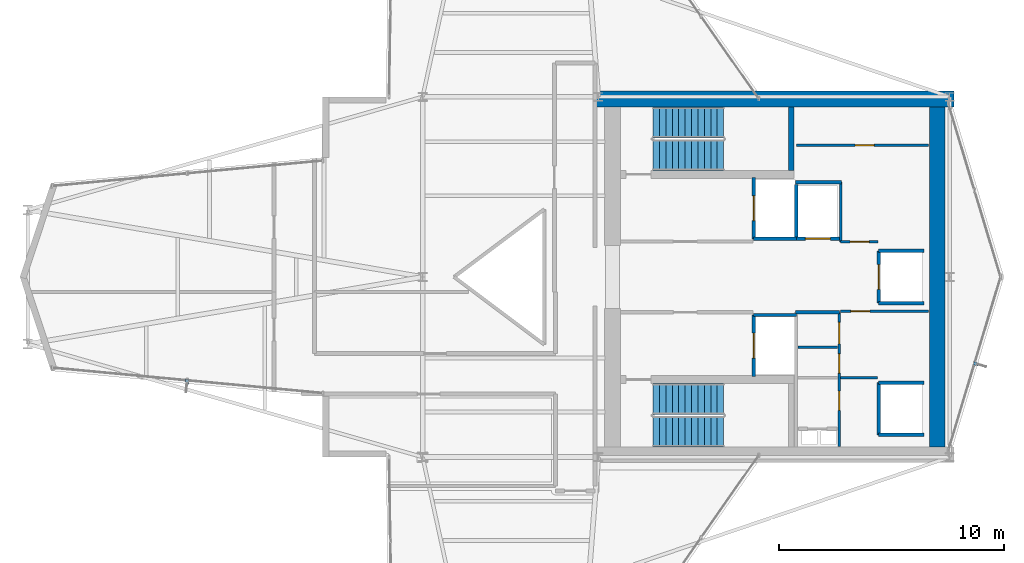
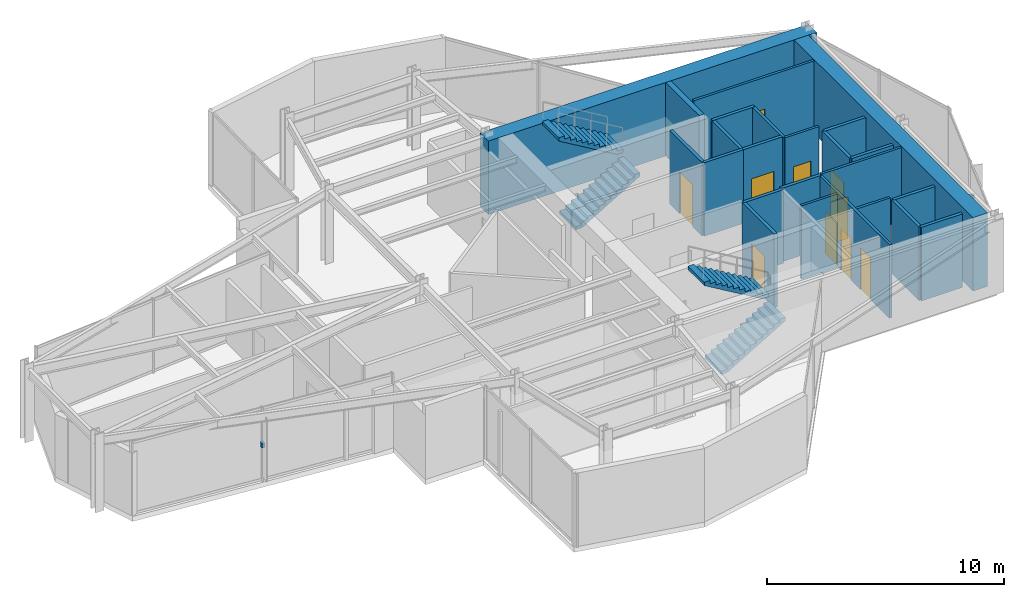
# One storey, part 22 of 24: 24 walls, 10 doors, 4 stair flights, 2 discrete accessories, 10 openings, 2 elements without a shape of their own.
"""IFC4 building model written with IfcOpenShell, lengths in metres."""

import ifcopenshell
import ifcopenshell.guid

model = None  # the IFC model being written
_history = None  # IfcOwnerHistory: only IFC2X3 demands one
_inside = {}  # id of a spatial element -> (the spatial element, [elements in it])
_under = {}  # id of a project, library or spatial element -> (it, [spatial elements below it])
_declared = {}  # id of a project -> (the project, [libraries it declares])
_typed = {}  # id of a type object -> (the type object, [elements of that type])
_made_of = {}  # id of a material, layer set ... -> (it, [elements and type objects made of it])


def new_model(schema):
    """Start an empty IFC model of exactly this schema.

    Asked for "IFC4X3", IfcOpenShell would pick the latest addendum, in which some entities
    have other attributes; the version numbers below select the first issue.
    IFC2X3 requires an IfcOwnerHistory on every rooted entity: one is made here for all.
    """
    global model, _history
    if schema == "IFC4X3":
        model = ifcopenshell.file(schema_version=(4, 3, 0, 0))
    else:
        model = ifcopenshell.file(schema=schema)
    _inside.clear()
    _under.clear()
    _declared.clear()
    _typed.clear()
    _made_of.clear()
    _history = None
    if model.schema == "IFC2X3":
        org = make("IfcOrganization", Name="unknown")
        user = make(
            "IfcPersonAndOrganization",
            ThePerson=make("IfcPerson", FamilyName="unknown"),
            TheOrganization=org,
        )
        app = make(
            "IfcApplication",
            ApplicationDeveloper=org,
            Version="unknown",
            ApplicationFullName="unknown",
            ApplicationIdentifier="unknown",
        )
        _history = make(
            "IfcOwnerHistory",
            OwningUser=user,
            OwningApplication=app,
            ChangeAction="ADDED",
            CreationDate=0,
        )
    return model


def make(cls, **values):
    """One entity of the class cls with the attributes given. An attribute that is None is left unset."""
    return model.create_entity(
        cls, **{name: value for name, value in values.items() if value is not None}
    )


def rooted(cls, **values):
    """An entity with a GlobalId (a new one), such as an element, a storey or a relation."""
    return make(cls, GlobalId=ifcopenshell.guid.new(), OwnerHistory=_history, **values)


def si_unit(unit_type, name, prefix=None):
    """IfcSIUnit, for example si_unit("LENGTHUNIT", "METRE", prefix="MILLI")."""
    return make("IfcSIUnit", UnitType=unit_type, Prefix=prefix, Name=name)


def assignment(units):
    """IfcUnitAssignment: the units of a project."""
    return None if units is None else make("IfcUnitAssignment", Units=units)


def point(xyz):
    """IfcCartesianPoint."""
    return None if xyz is None else make("IfcCartesianPoint", Coordinates=xyz)


def direction(xyz):
    """IfcDirection."""
    return None if xyz is None else make("IfcDirection", DirectionRatios=xyz)


def frame(location, z_axis=None, x_axis=None):
    """IfcAxis2Placement3D, a coordinate frame: its origin and axes. An axis left out is left unset."""
    return make(
        "IfcAxis2Placement3D",
        Location=point(location),
        Axis=direction(z_axis),
        RefDirection=direction(x_axis),
    )


def frame_2d(location, x_axis=None):
    """IfcAxis2Placement2D, a coordinate frame in the plane: its origin and x axis."""
    return make(
        "IfcAxis2Placement2D", Location=point(location), RefDirection=direction(x_axis)
    )


def origin():
    """The frame at (0, 0, 0) with its axes left unset."""
    return frame((0.0, 0.0, 0.0))


def origin_2d():
    """The frame at (0, 0) in the plane with its x axis left unset."""
    return frame_2d((0.0, 0.0))


def place(relative_to, where):
    """IfcLocalPlacement: puts the frame where relative to a parent placement (None: the world)."""
    return make(
        "IfcLocalPlacement", PlacementRelTo=relative_to, RelativePlacement=where
    )


def context(
    kind, dimensions, precision=None, world=None, true_north=None, identifier=None
):
    """IfcGeometricRepresentationContext, for example the 3D "Model" context."""
    return make(
        "IfcGeometricRepresentationContext",
        ContextIdentifier=identifier,
        ContextType=kind,
        CoordinateSpaceDimension=dimensions,
        Precision=precision,
        WorldCoordinateSystem=world,
        TrueNorth=true_north,
    )


def subcontext(parent, identifier, kind, view, scale=None):
    """IfcGeometricRepresentationSubContext, for example "Body" below "Model"."""
    return make(
        "IfcGeometricRepresentationSubContext",
        ContextIdentifier=identifier,
        ContextType=kind,
        ParentContext=parent,
        TargetScale=scale,
        TargetView=view,
    )


def project(units=None, contexts=None):
    """IfcProject with its units and contexts."""
    return rooted(
        "IfcProject",
        Name="project",
        RepresentationContexts=contexts,
        UnitsInContext=assignment(units),
    )


def spatial(cls, under=None, at=None, **own):
    """A site, building, storey or space (cls), placed at a placement, below another one or the project."""
    s = rooted(cls, ObjectPlacement=at, **own)
    if under is not None:
        _under.setdefault(under.id(), (under, []))[1].append(s)
    return s


def polyline(points):
    """IfcPolyline through the points."""
    return make("IfcPolyline", Points=[point(p) for p in points])


def profile(cls, at=None, kind="AREA", **sizes):
    """A parametric profile (cls). Its sizes go by their IFC names, for example OverallWidth=200.0."""
    return make(cls, ProfileType=kind, Position=at, **sizes)


def rectangle(**sizes):
    """IfcRectangleProfileDef."""
    return profile("IfcRectangleProfileDef", **sizes)


def outline(outer, holes=None, kind="AREA"):
    """IfcArbitraryClosedProfileDef: a profile drawn as a closed curve; with holes, ...WithVoids."""
    if holes is None:
        return make("IfcArbitraryClosedProfileDef", ProfileType=kind, OuterCurve=outer)
    return make(
        "IfcArbitraryProfileDefWithVoids",
        ProfileType=kind,
        OuterCurve=outer,
        InnerCurves=holes,
    )


def extrude(swept, where, along, depth):
    """IfcExtrudedAreaSolid: the profile swept, set in the frame where, extruded along a direction by depth."""
    return make(
        "IfcExtrudedAreaSolid",
        SweptArea=swept,
        Position=where,
        ExtrudedDirection=direction(along),
        Depth=depth,
    )


def shape(context_of_items, identifier, shape_type, items):
    """IfcShapeRepresentation: the items that make up one representation, for example the "Body"."""
    return make(
        "IfcShapeRepresentation",
        ContextOfItems=context_of_items,
        RepresentationIdentifier=identifier,
        RepresentationType=shape_type,
        Items=items,
    )


def material(Name=None, Category=None):
    """IfcMaterial."""
    return make("IfcMaterial", Name=Name, Category=Category)


def layer(
    of_material, thickness, ventilated=None, Name=None, Category=None, Priority=None
):
    """IfcMaterialLayer: one layer of a wall or slab, of a material (None: an air gap)."""
    return make(
        "IfcMaterialLayer",
        Material=of_material,
        LayerThickness=thickness,
        IsVentilated=ventilated,
        Name=Name,
        Category=Category,
        Priority=Priority,
    )


def layer_set(layers, Name=None):
    """IfcMaterialLayerSet."""
    return make("IfcMaterialLayerSet", MaterialLayers=layers, LayerSetName=Name)


def made_of(thing, what):
    """Note that an element or type object is made of a material, layer set ...; save() writes the relation."""
    if what is not None:
        _made_of.setdefault(what.id(), (what, []))[1].append(thing)
    return thing


def type_object(cls, material=None, **own):
    """A type object (cls), such as IfcWallType, which elements share."""
    return made_of(rooted(cls, **own), material)


def element(
    cls,
    number,
    at=None,
    inside=None,
    cuts=None,
    type_object=None,
    material=None,
    context=None,
    identifier="Body",
    shape_type=None,
    held_by="IfcProductDefinitionShape",
    body=None,
    shapes=None,
    **own,
):
    """One element of the class cls, such as IfcWall. Its Tag is "e" and its number.

    at: its placement. inside: the storey or other place that contains it. cuts: it is an
    opening in that element (IfcRelVoidsElement). A single representation is given by context,
    identifier, shape_type and body (its items); several are given by shapes. held_by: the class
    of the entity that holds the representations. save() writes the other relations.
    """
    e = rooted(cls, Tag="e%d" % number, ObjectPlacement=at, **own)
    if body is not None:
        shapes = [shape(context, identifier, shape_type, body)]
    if shapes is not None:
        e.Representation = make(held_by, Representations=shapes)
    if inside is not None:
        _inside.setdefault(inside.id(), (inside, []))[1].append(e)
    if cuts is not None:
        rooted(
            "IfcRelVoidsElement", RelatingBuildingElement=cuts, RelatedOpeningElement=e
        )
    if type_object is not None:
        _typed.setdefault(type_object.id(), (type_object, []))[1].append(e)
    return made_of(e, material)


def fill(opening, filler):
    """IfcRelFillsElement: the door or window that sits in an opening."""
    return rooted(
        "IfcRelFillsElement",
        RelatingOpeningElement=opening,
        RelatedBuildingElement=filler,
    )


def aggregate(whole, parts):
    """IfcRelAggregates: a whole, such as a stair, and the parts it consists of."""
    return rooted("IfcRelAggregates", RelatingObject=whole, RelatedObjects=parts)


def save(model, path):
    """Write the relations noted so far, then the file.

    IfcRelAggregates (storeys below a building ...), IfcRelContainedInSpatialStructure (elements
    in a storey), IfcRelDefinesByType, IfcRelAssociatesMaterial and IfcRelDeclares: one each for
    every whole, place, type object, material and project.
    """
    for whole, parts in _under.values():
        aggregate(whole, parts)
    for where, things in _inside.values():
        rooted(
            "IfcRelContainedInSpatialStructure",
            RelatedElements=things,
            RelatingStructure=where,
        )
    for kind, things in _typed.values():
        rooted("IfcRelDefinesByType", RelatedObjects=things, RelatingType=kind)
    for what, things in _made_of.values():
        rooted("IfcRelAssociatesMaterial", RelatedObjects=things, RelatingMaterial=what)
    for by, libraries in _declared.values():
        rooted("IfcRelDeclares", RelatingContext=by, RelatedDefinitions=libraries)
    model.write(path)


model = new_model("IFC4")

# Units and contexts
model_context = context("Model", 3, precision=1e-05, world=origin(), true_north=direction((0.0, 1.0)))
body_context = subcontext(model_context, "Body", "Model", "MODEL_VIEW")
ifc_project = project(units=[si_unit("LENGTHUNIT", "METRE"), si_unit("AREAUNIT", "SQUARE_METRE"), si_unit("VOLUMEUNIT", "CUBIC_METRE"), si_unit("PLANEANGLEUNIT", "RADIAN"), si_unit("MASSUNIT", "GRAM", prefix="KILO")], contexts=[model_context])

# Site, building, storey
site_placement = place(None, origin())
site = spatial("IfcSite", under=ifc_project, at=site_placement, CompositionType="ELEMENT")
building_placement = place(site_placement, origin())
building = spatial("IfcBuilding", under=site, at=building_placement, Name="Veymaron Broadcast Tower", CompositionType="ELEMENT")
storey_placement = place(building_placement, frame((0.0, 0.0, 220.199951171875)))
storey = spatial("IfcBuildingStorey", under=building, at=storey_placement, Name="L51", CompositionType="ELEMENT", Elevation=220.199951171875)

# Wall, opening, door
ifc_material_1 = material(Name="Gypsum fireboard and steel stud framing", Category="steel")
ifc_layer_1 = layer(ifc_material_1, 0.14990234375)
ifc_layer_set_1 = layer_set([ifc_layer_1], Name="Gypsum fireboard and steel stud framing")
wall_type_1 = type_object("IfcWallType", Name="WALL-FIRE-150", PredefinedType="PARTITIONING", material=ifc_layer_set_1)
wall_1_placement = place(storey_placement, frame((45.89501953125, 25.68994140625, 0.0), z_axis=(0.0, 0.0, 1.0), x_axis=(0.0, 1.0, 0.0)))
wall_1 = element("IfcWall", 1, at=wall_1_placement, inside=storey, type_object=wall_type_1, Name="L51 partition IW-L51-SHW-FFL-1", PredefinedType="PARTITIONING", context=body_context, shape_type="SweptSolid", body=[
    extrude(rectangle(XDim=2.719970703125, YDim=0.14990234375, at=frame_2d((1.35986328125, 0.0))), origin(), (0.0, 0.0, 1.0), 3.7900390625),
])
opening_1_placement = place(wall_1_placement, frame((0.81005859375, 0.0, 0.0)))
opening_1 = element("IfcOpeningElement", 2, at=opening_1_placement, cuts=wall_1, Name="Opening LD", PredefinedType="OPENING", context=body_context, shape_type="SweptSolid", body=[
    extrude(rectangle(XDim=1.10009765625, YDim=2.14990234375, at=frame_2d((0.550048828125, 1.074951171875))), frame((0.0, 0.0849609375, 0.0), z_axis=(0.0, -1.0, 0.0), x_axis=(1.0, 0.0, 0.0)), (0.0, 0.0, 1.0), 0.169921875),
])
ifc_material_2 = material(Name="Brushed stainless steel AISI 304", Category="steel")
door_type_1 = type_object("IfcDoorType", Name="DOOR-LIFT-1100", OperationType="DOUBLE_DOOR_SLIDING", PredefinedType="DOOR", material=ifc_material_2)
door_1_placement = place(opening_1_placement, frame((1.10009765625, 0.0, 0.0), z_axis=(0.0, 0.0, 1.0), x_axis=(-1.0, 0.0, 0.0)))
door_1 = element("IfcDoor", 3, at=door_1_placement, inside=storey, type_object=door_type_1, Name="L51 door LD-L51-FFL-1", OperationType="DOUBLE_DOOR_SLIDING", OverallHeight=2.14990234375, OverallWidth=1.10009765625, PredefinedType="DOOR", context=body_context, shape_type="SweptSolid", body=[
    extrude(rectangle(XDim=1.10009765625, YDim=2.14990234375, at=frame_2d((0.550048828125, 1.074951171875))), frame((0.0, 0.02490234375, 0.0), z_axis=(0.0, -1.0, 0.0), x_axis=(1.0, 0.0, 0.0)), (0.0, 0.0, 1.0), 0.050048828125),
])
fill(opening_1, door_1)

# Wall
wall_2_placement = place(storey_placement, frame((45.89501953125, 25.68994140625, 0.0), z_axis=(0.0, 0.0, 1.0), x_axis=(1.0, 0.0, 0.0)))
element("IfcWall", 4, at=wall_2_placement, inside=storey, type_object=wall_type_1, Name="L51 partition IW-L51-SHS-FFL-1", PredefinedType="PARTITIONING", context=body_context, shape_type="SweptSolid", body=[
    extrude(rectangle(XDim=1.9150390625, YDim=0.14990234375, at=frame_2d((0.95751953125, 0.0))), origin(), (0.0, 0.0, 1.0), 3.7900390625),
])

# Wall, opening, door
wall_3_placement = place(storey_placement, frame((45.89501953125, 19.590087890625, 0.0), z_axis=(0.0, 0.0, 1.0), x_axis=(0.0, 1.0, 0.0)))
wall_3 = element("IfcWall", 5, at=wall_3_placement, inside=storey, type_object=wall_type_1, Name="L51 partition IW-L51-SHW-FFL-2", PredefinedType="PARTITIONING", context=body_context, shape_type="SweptSolid", body=[
    extrude(rectangle(XDim=2.719970703125, YDim=0.14990234375, at=frame_2d((1.35986328125, 0.0))), origin(), (0.0, 0.0, 1.0), 3.7900390625),
])
opening_2_placement = place(wall_3_placement, frame((0.81005859375, 0.0, 0.0)))
opening_2 = element("IfcOpeningElement", 6, at=opening_2_placement, cuts=wall_3, Name="Opening LD", PredefinedType="OPENING", context=body_context, shape_type="SweptSolid", body=[
    extrude(rectangle(XDim=1.10009765625, YDim=2.14990234375, at=frame_2d((0.550048828125, 1.074951171875))), frame((0.0, 0.0849609375, 0.0), z_axis=(0.0, -1.0, 0.0), x_axis=(1.0, 0.0, 0.0)), (0.0, 0.0, 1.0), 0.169921875),
])
door_2_placement = place(opening_2_placement, frame((1.10009765625, 0.0, 0.0), z_axis=(0.0, 0.0, 1.0), x_axis=(-1.0, 0.0, 0.0)))
door_2 = element("IfcDoor", 7, at=door_2_placement, inside=storey, type_object=door_type_1, Name="L51 door LD-L51-FFL-2", OperationType="DOUBLE_DOOR_SLIDING", OverallHeight=2.14990234375, OverallWidth=1.10009765625, PredefinedType="DOOR", context=body_context, shape_type="SweptSolid", body=[
    extrude(rectangle(XDim=1.10009765625, YDim=2.14990234375, at=frame_2d((0.550048828125, 1.074951171875))), frame((0.0, 0.02490234375, 0.0), z_axis=(0.0, -1.0, 0.0), x_axis=(1.0, 0.0, 0.0)), (0.0, 0.0, 1.0), 0.050048828125),
])
fill(opening_2, door_2)

# Wall
wall_4_placement = place(storey_placement, frame((45.89501953125, 22.31005859375, 0.0), z_axis=(0.0, 0.0, 1.0), x_axis=(1.0, 0.0, 0.0)))
element("IfcWall", 8, at=wall_4_placement, inside=storey, type_object=wall_type_1, Name="L51 partition IW-L51-SHN-FFL-2", PredefinedType="PARTITIONING", context=body_context, shape_type="SweptSolid", body=[
    extrude(rectangle(XDim=1.9150390625, YDim=0.14990234375, at=frame_2d((0.95751953125, 0.0))), origin(), (0.0, 0.0, 1.0), 3.7900390625),
])

# Wall, opening, door
wall_5_placement = place(storey_placement, frame((47.7900390625, 25.695068359375, 0.0), z_axis=(0.0, 0.0, 1.0), x_axis=(1.0, 0.0, 0.0)))
wall_5 = element("IfcWall", 9, at=wall_5_placement, inside=storey, type_object=wall_type_1, Name="L51 partition IW-L51-SHS-SL-1", PredefinedType="PARTITIONING", context=body_context, shape_type="SweptSolid", body=[
    extrude(rectangle(XDim=1.919921875, YDim=0.14990234375, at=frame_2d((0.9599609375, 0.0))), origin(), (0.0, 0.0, 1.0), 3.7900390625),
])
opening_3_placement = place(wall_5_placement, frame((0.409912109375, 0.0, 0.0)))
opening_3 = element("IfcOpeningElement", 10, at=opening_3_placement, cuts=wall_5, Name="Opening LD", PredefinedType="OPENING", context=body_context, shape_type="SweptSolid", body=[
    extrude(rectangle(XDim=1.10009765625, YDim=2.14990234375, at=frame_2d((0.550048828125, 1.074951171875))), frame((0.0, 0.0849609375, 0.0), z_axis=(0.0, -1.0, 0.0), x_axis=(1.0, 0.0, 0.0)), (0.0, 0.0, 1.0), 0.169921875),
])
door_3_placement = place(opening_3_placement, frame((1.10009765625, 0.0, 0.0), z_axis=(0.0, 0.0, 1.0), x_axis=(-1.0, 0.0, 0.0)))
door_3 = element("IfcDoor", 11, at=door_3_placement, inside=storey, type_object=door_type_1, Name="L51 door LD-L51-SL-1", OperationType="DOUBLE_DOOR_SLIDING", OverallHeight=2.14990234375, OverallWidth=1.10009765625, PredefinedType="DOOR", context=body_context, shape_type="SweptSolid", body=[
    extrude(rectangle(XDim=1.10009765625, YDim=2.14990234375, at=frame_2d((0.550048828125, 1.074951171875))), frame((0.0, 0.02490234375, 0.0), z_axis=(0.0, -1.0, 0.0), x_axis=(1.0, 0.0, 0.0)), (0.0, 0.0, 1.0), 0.050048828125),
])
fill(opening_3, door_3)

# Wall
wall_6_placement = place(storey_placement, frame((47.7900390625, 25.695068359375, 0.0), z_axis=(0.0, 0.0, 1.0), x_axis=(0.0, 1.0, 0.0)))
element("IfcWall", 12, at=wall_6_placement, inside=storey, type_object=wall_type_1, Name="L51 partition IW-L51-SHW-SL-1", PredefinedType="PARTITIONING", context=body_context, shape_type="SweptSolid", body=[
    extrude(rectangle(XDim=2.4150390625, YDim=0.14990234375, at=frame_2d((1.20751953125, 0.0))), origin(), (0.0, 0.0, 1.0), 3.7900390625),
])

# Wall, opening, door
wall_7_placement = place(storey_placement, frame((51.445068359375, 22.840087890625, 0.0), z_axis=(0.0, 0.0, 1.0), x_axis=(0.0, 1.0, 0.0)))
wall_7 = element("IfcWall", 13, at=wall_7_placement, inside=storey, type_object=wall_type_1, Name="L51 partition IW-L51-SHW-PM3", PredefinedType="PARTITIONING", context=body_context, shape_type="SweptSolid", body=[
    extrude(rectangle(XDim=2.31982421875, YDim=0.14990234375, at=frame_2d((1.159912109375, 0.0))), origin(), (0.0, 0.0, 1.0), 3.7900390625),
])
opening_4_placement = place(wall_7_placement, frame((0.610107421875, 0.0, 0.0)))
opening_4 = element("IfcOpeningElement", 14, at=opening_4_placement, cuts=wall_7, Name="Opening LD", PredefinedType="OPENING", context=body_context, shape_type="SweptSolid", body=[
    extrude(rectangle(XDim=1.10009765625, YDim=2.14990234375, at=frame_2d((0.550048828125, 1.074951171875))), frame((0.0, 0.0849609375, 0.0), z_axis=(0.0, -1.0, 0.0), x_axis=(1.0, 0.0, 0.0)), (0.0, 0.0, 1.0), 0.169921875),
])
door_4_placement = place(opening_4_placement, frame((1.10009765625, 0.0, 0.0), z_axis=(0.0, 0.0, 1.0), x_axis=(-1.0, 0.0, 0.0)))
door_4 = element("IfcDoor", 15, at=door_4_placement, inside=storey, type_object=door_type_1, Name="L51 door LD-L51-PM3", OperationType="DOUBLE_DOOR_SLIDING", OverallHeight=2.14990234375, OverallWidth=1.10009765625, PredefinedType="DOOR", context=body_context, shape_type="SweptSolid", body=[
    extrude(rectangle(XDim=1.10009765625, YDim=2.14990234375, at=frame_2d((0.550048828125, 1.074951171875))), frame((0.0, 0.02490234375, 0.0), z_axis=(0.0, -1.0, 0.0), x_axis=(1.0, 0.0, 0.0)), (0.0, 0.0, 1.0), 0.050048828125),
])
fill(opening_4, door_4)

# Walls
for number, where, z_axis, x_axis, name in (
    (16, (51.445068359375, 22.840087890625, 0.0), (0.0, 0.0, 1.0), (1.0, 0.0, 0.0), "L51 partition IW-L51-SHS-PM3"),
    (17, (51.445068359375, 25.159912109375, 0.0), (0.0, 0.0, 1.0), (1.0, 0.0, 0.0), "L51 partition IW-L51-SHN-PM3"),
):
    element("IfcWall", number, at=place(storey_placement, frame(where, z_axis=z_axis, x_axis=x_axis)), inside=storey, type_object=wall_type_1, Name=name, PredefinedType="PARTITIONING", context=body_context, shape_type="SweptSolid", body=[
        extrude(rectangle(XDim=2.014892578125, YDim=0.14990234375, at=frame_2d((1.00732421875, 0.0))), origin(), (0.0, 0.0, 1.0), 3.7900390625),
    ])
wall_8_placement = place(storey_placement, frame((51.445068359375, 16.989990234375, 0.0), z_axis=(0.0, 0.0, 1.0), x_axis=(0.0, 1.0, 0.0)))
element("IfcWall", 18, at=wall_8_placement, inside=storey, type_object=wall_type_1, Name="L51 partition IW-L51-SHW-PH1", PredefinedType="PARTITIONING", context=body_context, shape_type="SweptSolid", body=[
    extrude(rectangle(XDim=2.320068359375, YDim=0.14990234375, at=frame_2d((1.16015625, 0.0))), origin(), (0.0, 0.0, 1.0), 3.7900390625),
])
for number, where, z_axis, x_axis, name in (
    (19, (51.445068359375, 16.989990234375, 0.0), (0.0, 0.0, 1.0), (1.0, 0.0, 0.0), "L51 partition IW-L51-SHS-PH1"),
    (20, (51.445068359375, 19.31005859375, 0.0), (0.0, 0.0, 1.0), (1.0, 0.0, 0.0), "L51 partition IW-L51-SHN-PH1"),
):
    element("IfcWall", number, at=place(storey_placement, frame(where, z_axis=z_axis, x_axis=x_axis)), inside=storey, type_object=wall_type_1, Name=name, PredefinedType="PARTITIONING", context=body_context, shape_type="SweptSolid", body=[
        extrude(rectangle(XDim=2.014892578125, YDim=0.14990234375, at=frame_2d((1.00732421875, 0.0))), origin(), (0.0, 0.0, 1.0), 3.7900390625),
    ])
wall_9_placement = place(storey_placement, frame((47.760009765625, 22.425048828125, 0.0), z_axis=(0.0, 0.0, 1.0), x_axis=(1.0, 0.0, 0.0)))
element("IfcWall", 21, at=wall_9_placement, inside=storey, type_object=wall_type_1, Name="L51 partition IW-L51-SM-N", PredefinedType="PARTITIONING", context=body_context, shape_type="SweptSolid", body=[
    extrude(rectangle(XDim=1.9599609375, YDim=0.14990234375, at=frame_2d((0.97998046875, 0.0))), origin(), (0.0, 0.0, 1.0), 3.7900390625),
])
wall_10_placement = place(storey_placement, frame((47.760009765625, 28.199951171875, 0.0), z_axis=(0.0, 0.0, 1.0), x_axis=(1.0, 0.0, 0.0)))
element("IfcWall", 22, at=wall_10_placement, inside=storey, type_object=wall_type_1, Name="L51 partition IW-L51-F2-SW", PredefinedType="PARTITIONING", context=body_context, shape_type="SweptSolid", body=[
    extrude(rectangle(XDim=2.0400390625, YDim=0.14990234375, at=frame_2d((1.02001953125, 0.0))), origin(), (0.0, 0.0, 1.0), 3.7900390625),
])
ifc_material_3 = material(Name="Acoustic gypsum board and galvanized stud", Category="gypsum")
ifc_layer_2 = layer(ifc_material_3, 0.1201171875)
ifc_layer_set_2 = layer_set([ifc_layer_2], Name="Acoustic gypsum board and galvanized stud")
wall_type_2 = type_object("IfcWallType", Name="WALL-PART-120", PredefinedType="PARTITIONING", material=ifc_layer_set_2)
wall_11_placement = place(storey_placement, frame((47.860107421875, 20.8798828125, 0.0), z_axis=(0.0, 0.0, 1.0), x_axis=(1.0, 0.0, 0.0)))
element("IfcWall", 23, at=wall_11_placement, inside=storey, type_object=wall_type_2, Name="L51 partition IW-L51-SM-D2", PredefinedType="PARTITIONING", context=body_context, shape_type="SweptSolid", body=[
    extrude(rectangle(XDim=1.760009765625, YDim=0.1201171875, at=frame_2d((0.8798828125, 0.0))), origin(), (0.0, 0.0, 1.0), 3.7900390625),
])

# Wall, openings, doors
wall_12_placement = place(storey_placement, frame((49.699951171875, 16.47998046875, 0.0), z_axis=(0.0, 0.0, 1.0), x_axis=(0.0, 1.0, 0.0)))
wall_12 = element("IfcWall", 24, at=wall_12_placement, inside=storey, type_object=wall_type_2, Name="L51 partition IW-L51-SM-E", PredefinedType="PARTITIONING", context=body_context, shape_type="SweptSolid", body=[
    extrude(rectangle(XDim=5.945068359375, YDim=0.1201171875, at=frame_2d((2.97265625, 0.0))), origin(), (0.0, 0.0, 1.0), 3.7900390625),
])
opening_5_placement = place(wall_12_placement, frame((1.60009765625, 0.0, 0.0)))
opening_5 = element("IfcOpeningElement", 25, at=opening_5_placement, cuts=wall_12, Name="Opening ID-WC1", PredefinedType="OPENING", context=body_context, shape_type="SweptSolid", body=[
    extrude(rectangle(XDim=0.85009765625, YDim=2.14990234375, at=frame_2d((0.425048828125, 1.074951171875))), frame((0.0, 0.070068359375, 0.0), z_axis=(0.0, -1.0, 0.0), x_axis=(1.0, 0.0, 0.0)), (0.0, 0.0, 1.0), 0.14013671875),
])
opening_6_placement = place(wall_12_placement, frame((3.25, 0.0, 0.0)))
opening_6 = element("IfcOpeningElement", 26, at=opening_6_placement, cuts=wall_12, Name="Opening ID-WC1", PredefinedType="OPENING", context=body_context, shape_type="SweptSolid", body=[
    extrude(rectangle(XDim=0.85009765625, YDim=2.14990234375, at=frame_2d((0.425048828125, 1.074951171875))), frame((0.0, 0.070068359375, 0.0), z_axis=(0.0, -1.0, 0.0), x_axis=(1.0, 0.0, 0.0)), (0.0, 0.0, 1.0), 0.14013671875),
])
opening_7_placement = place(wall_12_placement, frame((4.550048828125, 0.0, 0.0)))
opening_7 = element("IfcOpeningElement", 27, at=opening_7_placement, cuts=wall_12, Name="Opening ID-RM1", PredefinedType="OPENING", context=body_context, shape_type="SweptSolid", body=[
    extrude(rectangle(XDim=0.949951171875, YDim=2.14990234375, at=frame_2d((0.47509765625, 1.074951171875))), frame((0.0, 0.070068359375, 0.0), z_axis=(0.0, -1.0, 0.0), x_axis=(1.0, 0.0, 0.0)), (0.0, 0.0, 1.0), 0.14013671875),
])
ifc_material_4 = material(Name="Moisture-resistant high-pressure laminate timber", Category="wood")
door_type_2 = type_object("IfcDoorType", Name="DOOR-INT-850", OperationType="NOTDEFINED", PredefinedType="DOOR", material=ifc_material_4)
door_5_placement = place(opening_5_placement, frame((0.85009765625, 0.0, 0.0), z_axis=(0.0, 0.0, 1.0), x_axis=(-1.0, 0.0, 0.0)))
door_5 = element("IfcDoor", 28, at=door_5_placement, inside=storey, type_object=door_type_2, Name="L51 door DR-L51-JST", OperationType="SINGLE_SWING_LEFT", OverallHeight=2.14990234375, OverallWidth=0.85009765625, PredefinedType="DOOR", context=body_context, shape_type="SweptSolid", body=[
    extrude(rectangle(XDim=0.85009765625, YDim=2.14990234375, at=frame_2d((0.425048828125, 1.074951171875))), frame((0.0, 0.02490234375, 0.0), z_axis=(0.0, -1.0, 0.0), x_axis=(1.0, 0.0, 0.0)), (0.0, 0.0, 1.0), 0.050048828125),
])
fill(opening_5, door_5)
door_6_placement = place(opening_6_placement, frame((0.85009765625, 0.0, 0.0), z_axis=(0.0, 0.0, 1.0), x_axis=(-1.0, 0.0, 0.0)))
door_6 = element("IfcDoor", 29, at=door_6_placement, inside=storey, type_object=door_type_2, Name="L51 door DR-L51-SWC", OperationType="SINGLE_SWING_RIGHT", OverallHeight=2.14990234375, OverallWidth=0.85009765625, PredefinedType="DOOR", context=body_context, shape_type="SweptSolid", body=[
    extrude(rectangle(XDim=0.85009765625, YDim=2.14990234375, at=frame_2d((0.425048828125, 1.074951171875))), frame((0.0, 0.02490234375, 0.0), z_axis=(0.0, -1.0, 0.0), x_axis=(1.0, 0.0, 0.0)), (0.0, 0.0, 1.0), 0.050048828125),
])
fill(opening_6, door_6)
ifc_material_5 = material(Name="Acoustic solid-core European oak veneer timber", Category="wood")
door_type_3 = type_object("IfcDoorType", Name="DOOR-INT-950", OperationType="NOTDEFINED", PredefinedType="DOOR", material=ifc_material_5)
door_7_placement = place(opening_7_placement, frame((0.949951171875, 0.0, 0.0), z_axis=(0.0, 0.0, 1.0), x_axis=(-1.0, 0.0, 0.0)))
door_7 = element("IfcDoor", 30, at=door_7_placement, inside=storey, type_object=door_type_3, Name="L51 door DR-L51-AWC", OperationType="SINGLE_SWING_LEFT", OverallHeight=2.14990234375, OverallWidth=0.949951171875, PredefinedType="DOOR", context=body_context, shape_type="SweptSolid", body=[
    extrude(rectangle(XDim=0.949951171875, YDim=2.14990234375, at=frame_2d((0.47509765625, 1.074951171875))), frame((0.0, 0.02490234375, 0.0), z_axis=(0.0, -1.0, 0.0), x_axis=(1.0, 0.0, 0.0)), (0.0, 0.0, 1.0), 0.050048828125),
])
fill(opening_7, door_7)

# Wall, opening, door
wall_13_placement = place(storey_placement, frame((49.760009765625, 22.47998046875, 0.0), z_axis=(0.0, 0.0, 1.0), x_axis=(1.0, 0.0, 0.0)))
wall_13 = element("IfcWall", 31, at=wall_13_placement, inside=storey, type_object=wall_type_2, Name="L51 partition IW-L51-F2S-N", PredefinedType="PARTITIONING", context=body_context, shape_type="SweptSolid", body=[
    extrude(rectangle(XDim=3.89990234375, YDim=0.1201171875, at=frame_2d((1.949951171875, 0.0))), origin(), (0.0, 0.0, 1.0), 3.7900390625),
])
opening_8_placement = place(wall_13_placement, frame((0.449951171875, 0.0, 0.0)))
opening_8 = element("IfcOpeningElement", 32, at=opening_8_placement, cuts=wall_13, Name="Opening ID-WC1", PredefinedType="OPENING", context=body_context, shape_type="SweptSolid", body=[
    extrude(rectangle(XDim=0.85009765625, YDim=2.14990234375, at=frame_2d((0.425048828125, 1.074951171875))), frame((0.0, 0.070068359375, 0.0), z_axis=(0.0, -1.0, 0.0), x_axis=(1.0, 0.0, 0.0)), (0.0, 0.0, 1.0), 0.14013671875),
])
door_8_placement = place(opening_8_placement, frame((0.85009765625, 0.0, 0.0), z_axis=(0.0, 0.0, 1.0), x_axis=(-1.0, 0.0, 0.0)))
door_8 = element("IfcDoor", 33, at=door_8_placement, inside=storey, type_object=door_type_2, Name="L51 door DR-L51-F2S", OperationType="SINGLE_SWING_LEFT", OverallHeight=2.14990234375, OverallWidth=0.85009765625, PredefinedType="DOOR", context=body_context, shape_type="SweptSolid", body=[
    extrude(rectangle(XDim=0.85009765625, YDim=2.14990234375, at=frame_2d((0.425048828125, 1.074951171875))), frame((0.0, 0.02490234375, 0.0), z_axis=(0.0, -1.0, 0.0), x_axis=(1.0, 0.0, 0.0)), (0.0, 0.0, 1.0), 0.050048828125),
])
fill(opening_8, door_8)

# Walls
wall_14_placement = place(storey_placement, frame((49.760009765625, 19.52001953125, 0.0), z_axis=(0.0, 0.0, 1.0), x_axis=(1.0, 0.0, 0.0)))
element("IfcWall", 34, at=wall_14_placement, inside=storey, type_object=wall_type_2, Name="L51 partition IW-L51-F2S-S", PredefinedType="PARTITIONING", context=body_context, shape_type="SweptSolid", body=[
    extrude(rectangle(XDim=1.639892578125, YDim=0.1201171875, at=frame_2d((0.81982421875, 0.0))), origin(), (0.0, 0.0, 1.0), 3.7900390625),
])
wall_15_placement = place(storey_placement, frame((49.760009765625, 25.56005859375, 0.0), z_axis=(0.0, 0.0, 1.0), x_axis=(0.0, 1.0, 0.0)))
element("IfcWall", 35, at=wall_15_placement, inside=storey, type_object=wall_type_2, Name="L51 partition IW-L51-F2-W1", PredefinedType="PARTITIONING", context=body_context, shape_type="SweptSolid", body=[
    extrude(rectangle(XDim=2.659912109375, YDim=0.1201171875, at=frame_2d((1.330078125, 0.0))), origin(), (0.0, 0.0, 1.0), 3.7900390625),
])

# Wall, opening, door
wall_16_placement = place(storey_placement, frame((49.760009765625, 25.56005859375, 0.0), z_axis=(0.0, 0.0, 1.0), x_axis=(1.0, 0.0, 0.0)))
wall_16 = element("IfcWall", 36, at=wall_16_placement, inside=storey, type_object=wall_type_2, Name="L51 partition IW-L51-F2-S", PredefinedType="PARTITIONING", context=body_context, shape_type="SweptSolid", body=[
    extrude(rectangle(XDim=1.659912109375, YDim=0.1201171875, at=frame_2d((0.830078125, 0.0))), origin(), (0.0, 0.0, 1.0), 3.7900390625),
])
opening_9_placement = place(wall_16_placement, frame((0.419921875, 0.0, 0.0)))
opening_9 = element("IfcOpeningElement", 37, at=opening_9_placement, cuts=wall_16, Name="Opening ID-WC1", PredefinedType="OPENING", context=body_context, shape_type="SweptSolid", body=[
    extrude(rectangle(XDim=0.85009765625, YDim=2.14990234375, at=frame_2d((0.425048828125, 1.074951171875))), frame((0.0, 0.070068359375, 0.0), z_axis=(0.0, -1.0, 0.0), x_axis=(1.0, 0.0, 0.0)), (0.0, 0.0, 1.0), 0.14013671875),
])
door_9_placement = place(opening_9_placement, origin())
door_9 = element("IfcDoor", 38, at=door_9_placement, inside=storey, type_object=door_type_2, Name="L51 door DR-L51-F2A", OperationType="SINGLE_SWING_LEFT", OverallHeight=2.14990234375, OverallWidth=0.85009765625, PredefinedType="DOOR", context=body_context, shape_type="SweptSolid", body=[
    extrude(rectangle(XDim=0.85009765625, YDim=2.14990234375, at=frame_2d((0.425048828125, 1.074951171875))), frame((0.0, 0.02490234375, 0.0), z_axis=(0.0, -1.0, 0.0), x_axis=(1.0, 0.0, 0.0)), (0.0, 0.0, 1.0), 0.050048828125),
])
fill(opening_9, door_9)

wall_17_placement = place(storey_placement, frame((47.800048828125, 29.85009765625, 0.0), z_axis=(0.0, 0.0, 1.0), x_axis=(1.0, 0.0, 0.0)))
wall_17 = element("IfcWall", 39, at=wall_17_placement, inside=storey, type_object=wall_type_2, Name="L51 partition IW-L51-F2-M", PredefinedType="PARTITIONING", context=body_context, shape_type="SweptSolid", body=[
    extrude(rectangle(XDim=5.85986328125, YDim=0.1201171875, at=frame_2d((2.929931640625, 0.0))), origin(), (0.0, 0.0, 1.0), 3.7900390625),
])
opening_10_placement = place(wall_17_placement, frame((2.60009765625, 0.0, 0.0)))
opening_10 = element("IfcOpeningElement", 40, at=opening_10_placement, cuts=wall_17, Name="Opening ID-WC1", PredefinedType="OPENING", context=body_context, shape_type="SweptSolid", body=[
    extrude(rectangle(XDim=0.85009765625, YDim=2.14990234375, at=frame_2d((0.425048828125, 1.074951171875))), frame((0.0, 0.070068359375, 0.0), z_axis=(0.0, -1.0, 0.0), x_axis=(1.0, 0.0, 0.0)), (0.0, 0.0, 1.0), 0.14013671875),
])
door_10_placement = place(opening_10_placement, origin())
door_10 = element("IfcDoor", 41, at=door_10_placement, inside=storey, type_object=door_type_2, Name="L51 door DR-L51-F2B", OperationType="SINGLE_SWING_LEFT", OverallHeight=2.14990234375, OverallWidth=0.85009765625, PredefinedType="DOOR", context=body_context, shape_type="SweptSolid", body=[
    extrude(rectangle(XDim=0.85009765625, YDim=2.14990234375, at=frame_2d((0.425048828125, 1.074951171875))), frame((0.0, 0.02490234375, 0.0), z_axis=(0.0, -1.0, 0.0), x_axis=(1.0, 0.0, 0.0)), (0.0, 0.0, 1.0), 0.050048828125),
])
fill(opening_10, door_10)

# Walls
ifc_material_6 = material(Name="Concrete C50/60", Category="concrete")
ifc_layer_3 = layer(ifc_material_6, 0.25)
ifc_layer_set_3 = layer_set([ifc_layer_3], Name="Concrete C50/60")
wall_type_3 = type_object("IfcWallType", Name="WALL-SHEAR-250", PredefinedType="SHEAR", material=ifc_layer_set_3)
wall_18_placement = place(storey_placement, frame((47.56494140625, 28.72998046875, 0.0), z_axis=(0.0, 0.0, 1.0), x_axis=(0.0, 1.0, 0.0)))
element("IfcWall", 42, at=wall_18_placement, inside=storey, type_object=wall_type_3, Name="L51 Core Wall north stair east shear", PredefinedType="SHEAR", context=body_context, shape_type="SweptSolid", body=[
    extrude(rectangle(XDim=2.820068359375, YDim=0.25, at=frame_2d((1.41015625, 0.0))), origin(), (0.0, 0.0, 1.0), 3.7900390625),
])
ifc_material_7 = material(Name="Concrete C60/75", Category="concrete")
ifc_layer_4 = layer(ifc_material_7, 0.699951171875)
ifc_layer_set_4 = layer_set([ifc_layer_4], Name="Concrete C60/75")
wall_type_4 = type_object("IfcWallType", Name="WALL-SHEAR-700", PredefinedType="SHEAR", material=ifc_layer_set_4)
wall_19_placement = place(storey_placement, frame((38.800048828125, 31.89990234375, 0.0), z_axis=(0.0, 0.0, 1.0), x_axis=(1.0, 0.0, 0.0)))
element("IfcWall", 43, at=wall_19_placement, inside=storey, type_object=wall_type_4, Name="L51 Core Wall north shear", PredefinedType="SHEAR", context=body_context, shape_type="SweptSolid", body=[
    extrude(rectangle(XDim=16.0, YDim=0.699951171875, at=frame_2d((8.0, 0.0))), origin(), (0.0, 0.0, 1.0), 3.7900390625),
])
wall_20_placement = place(storey_placement, frame((54.050048828125, 16.449951171875, 0.0), z_axis=(0.0, 0.0, 1.0), x_axis=(0.0, 1.0, 0.0)))
element("IfcWall", 44, at=wall_20_placement, inside=storey, type_object=wall_type_4, Name="L51 Core Wall east shear", PredefinedType="SHEAR", context=body_context, shape_type="SweptSolid", body=[
    extrude(rectangle(XDim=15.10009765625, YDim=0.699951171875, at=frame_2d((7.550048828125, 0.0))), origin(), (0.0, 0.0, 1.0), 3.7900390625),
])

# Stair, stair flights
stair_type_1 = type_object("IfcStairType", Name="STAIR-CORE-1", PredefinedType="HALF_TURN_STAIR", material=ifc_material_6)
stair_1_placement = place(storey_placement, origin())
stair_1 = element("IfcStair", 45, at=stair_1_placement, inside=storey, type_object=stair_type_1, Name="L51 North protected dog-leg exit stair ST1", PredefinedType="HALF_TURN_STAIR")
ifc_material_8 = material(Name="Precast concrete C50/60", Category="concrete")
stair_flight_type = type_object("IfcStairFlightType", Name="FLT-CORE-RC", PredefinedType="STRAIGHT", material=ifc_material_8)
stair_flight_1_placement = place(storey_placement, frame((41.429931640625, 29.419921875, 0.0), z_axis=(0.0, 0.0, 1.0), x_axis=(1.0, 0.0, 0.0)))
stair_flight_1 = element("IfcStairFlight", 46, at=stair_flight_1_placement, type_object=stair_flight_type, Name="ST1 flight 1", NumberOfRisers=12, NumberOfTreads=11, PredefinedType="STRAIGHT", RiserHeight=0.16875, TreadLength=0.285, context=body_context, shape_type="SweptSolid", body=[
    extrude(outline(polyline([(0.0, 0.0), (0.0, 0.168701171875), (0.284912109375, 0.168701171875), (0.284912109375, 0.33740234375), (0.570068359375, 0.33740234375), (0.570068359375, 0.50634765625), (0.85498046875, 0.50634765625), (0.85498046875, 0.675048828125), (1.139892578125, 0.675048828125), (1.139892578125, 0.84375), (1.425048828125, 0.84375), (1.425048828125, 1.012451171875), (1.7099609375, 1.012451171875), (1.7099609375, 1.18115234375), (1.9951171875, 1.18115234375), (1.9951171875, 1.35009765625), (2.280029296875, 1.35009765625), (2.280029296875, 1.518798828125), (2.56494140625, 1.518798828125), (2.56494140625, 1.6875), (2.85009765625, 1.6875), (2.85009765625, 1.856201171875), (3.135009765625, 1.856201171875), (3.135009765625, 2.02490234375), (3.135009765625, 1.68212890625), (0.294189453125, 0.0), (0.0, 0.0)])), frame((0.0, 0.68994140625, 0.0), z_axis=(0.0, -1.0, 0.0), x_axis=(1.0, 0.0, 0.0)), (0.0, 0.0, 1.0), 1.3798828125),
])
stair_flight_2_placement = place(storey_placement, frame((44.56494140625, 30.860107421875, 2.025146484375), z_axis=(0.0, 0.0, 1.0), x_axis=(-1.0, 0.0, 0.0)))
stair_flight_2 = element("IfcStairFlight", 47, at=stair_flight_2_placement, type_object=stair_flight_type, Name="ST1 flight 2", NumberOfRisers=12, NumberOfTreads=11, PredefinedType="STRAIGHT", RiserHeight=0.16875, TreadLength=0.285, context=body_context, shape_type="SweptSolid", body=[
    extrude(outline(polyline([(0.0, 0.0), (0.0, 0.168701171875), (0.284912109375, 0.168701171875), (0.284912109375, 0.33740234375), (0.570068359375, 0.33740234375), (0.570068359375, 0.50634765625), (0.85498046875, 0.50634765625), (0.85498046875, 0.675048828125), (1.139892578125, 0.675048828125), (1.139892578125, 0.84375), (1.425048828125, 0.84375), (1.425048828125, 1.012451171875), (1.7099609375, 1.012451171875), (1.7099609375, 1.18115234375), (1.9951171875, 1.18115234375), (1.9951171875, 1.35009765625), (2.280029296875, 1.35009765625), (2.280029296875, 1.518798828125), (2.56494140625, 1.518798828125), (2.56494140625, 1.6875), (2.85009765625, 1.6875), (2.85009765625, 1.856201171875), (3.135009765625, 1.856201171875), (3.135009765625, 2.02490234375), (3.135009765625, 1.68212890625), (0.294189453125, 0.0), (0.0, 0.0)])), frame((0.0, 0.68994140625, 0.0), z_axis=(0.0, -1.0, 0.0), x_axis=(1.0, 0.0, 0.0)), (0.0, 0.0, 1.0), 1.3798828125),
])
aggregate(stair_1, [stair_flight_1, stair_flight_2])

stair_type_2 = type_object("IfcStairType", Name="STAIR-CORE-2", PredefinedType="HALF_TURN_STAIR", material=ifc_material_6)
stair_2_placement = place(storey_placement, origin())
stair_2 = element("IfcStair", 48, at=stair_2_placement, inside=storey, type_object=stair_type_2, Name="L51 South protected dog-leg exit stair ST2", PredefinedType="HALF_TURN_STAIR")
stair_flight_3_placement = place(storey_placement, frame((41.429931640625, 17.139892578125, 0.0), z_axis=(0.0, 0.0, 1.0), x_axis=(1.0, 0.0, 0.0)))
stair_flight_3 = element("IfcStairFlight", 49, at=stair_flight_3_placement, type_object=stair_flight_type, Name="ST2 flight 1", NumberOfRisers=12, NumberOfTreads=11, PredefinedType="STRAIGHT", RiserHeight=0.16875, TreadLength=0.285, context=body_context, shape_type="SweptSolid", body=[
    extrude(outline(polyline([(0.0, 0.0), (0.0, 0.168701171875), (0.284912109375, 0.168701171875), (0.284912109375, 0.33740234375), (0.570068359375, 0.33740234375), (0.570068359375, 0.50634765625), (0.85498046875, 0.50634765625), (0.85498046875, 0.675048828125), (1.139892578125, 0.675048828125), (1.139892578125, 0.84375), (1.425048828125, 0.84375), (1.425048828125, 1.012451171875), (1.7099609375, 1.012451171875), (1.7099609375, 1.18115234375), (1.9951171875, 1.18115234375), (1.9951171875, 1.35009765625), (2.280029296875, 1.35009765625), (2.280029296875, 1.518798828125), (2.56494140625, 1.518798828125), (2.56494140625, 1.6875), (2.85009765625, 1.6875), (2.85009765625, 1.856201171875), (3.135009765625, 1.856201171875), (3.135009765625, 2.02490234375), (3.135009765625, 1.68212890625), (0.294189453125, 0.0), (0.0, 0.0)])), frame((0.0, 0.68994140625, 0.0), z_axis=(0.0, -1.0, 0.0), x_axis=(1.0, 0.0, 0.0)), (0.0, 0.0, 1.0), 1.3798828125),
])
stair_flight_4_placement = place(storey_placement, frame((44.56494140625, 18.580078125, 2.025146484375), z_axis=(0.0, 0.0, 1.0), x_axis=(-1.0, 0.0, 0.0)))
stair_flight_4 = element("IfcStairFlight", 50, at=stair_flight_4_placement, type_object=stair_flight_type, Name="ST2 flight 2", NumberOfRisers=12, NumberOfTreads=11, PredefinedType="STRAIGHT", RiserHeight=0.16875, TreadLength=0.285, context=body_context, shape_type="SweptSolid", body=[
    extrude(outline(polyline([(0.0, 0.0), (0.0, 0.168701171875), (0.284912109375, 0.168701171875), (0.284912109375, 0.33740234375), (0.570068359375, 0.33740234375), (0.570068359375, 0.50634765625), (0.85498046875, 0.50634765625), (0.85498046875, 0.675048828125), (1.139892578125, 0.675048828125), (1.139892578125, 0.84375), (1.425048828125, 0.84375), (1.425048828125, 1.012451171875), (1.7099609375, 1.012451171875), (1.7099609375, 1.18115234375), (1.9951171875, 1.18115234375), (1.9951171875, 1.35009765625), (2.280029296875, 1.35009765625), (2.280029296875, 1.518798828125), (2.56494140625, 1.518798828125), (2.56494140625, 1.6875), (2.85009765625, 1.6875), (2.85009765625, 1.856201171875), (3.135009765625, 1.856201171875), (3.135009765625, 2.02490234375), (3.135009765625, 1.68212890625), (0.294189453125, 0.0), (0.0, 0.0)])), frame((0.0, 0.68994140625, 0.0), z_axis=(0.0, -1.0, 0.0), x_axis=(1.0, 0.0, 0.0)), (0.0, 0.0, 1.0), 1.3798828125),
])
aggregate(stair_2, [stair_flight_3, stair_flight_4])

# Discrete accessories
ifc_material_9 = material(Name="Austenitic stainless steel AISI 316L", Category="steel")
ifc_layer_5 = layer(ifc_material_9, 0.1201171875)
ifc_layer_set_5 = layer_set([ifc_layer_5], Name="Austenitic stainless steel AISI 316L")
discrete_accessory_type = type_object("IfcDiscreteAccessoryType", Name="ACC-BRKT-SS1", PredefinedType="BRACKET", material=ifc_layer_set_5)
for number, where, z_axis, x_axis, name in (
    (51, (55.767578125, 20.14501953125, 1.78515625), (0.0, 0.0, 1.0), (0.957329586062, -0.288998380014, 0.0), "CW-L51-E2-1 fin bracket 1"),
    (52, (20.737548828125, 19.343994140625, 1.78515625), (0.0, 0.0, 1.0), (-0.093256863132, -0.995642083019, 0.0), "CW-L51-E14-1 fin bracket 1"),
):
    element("IfcDiscreteAccessory", number, at=place(storey_placement, frame(where, z_axis=z_axis, x_axis=x_axis)), inside=storey, type_object=discrete_accessory_type, Name=name, PredefinedType="BRACKET", context=body_context, shape_type="SweptSolid", body=[
        extrude(rectangle(XDim=0.219970703125, YDim=0.139892578125, at=origin_2d()), origin(), (0.0, 0.0, 1.0), 0.219970703125),
    ])

save(model, "model.ifc")
